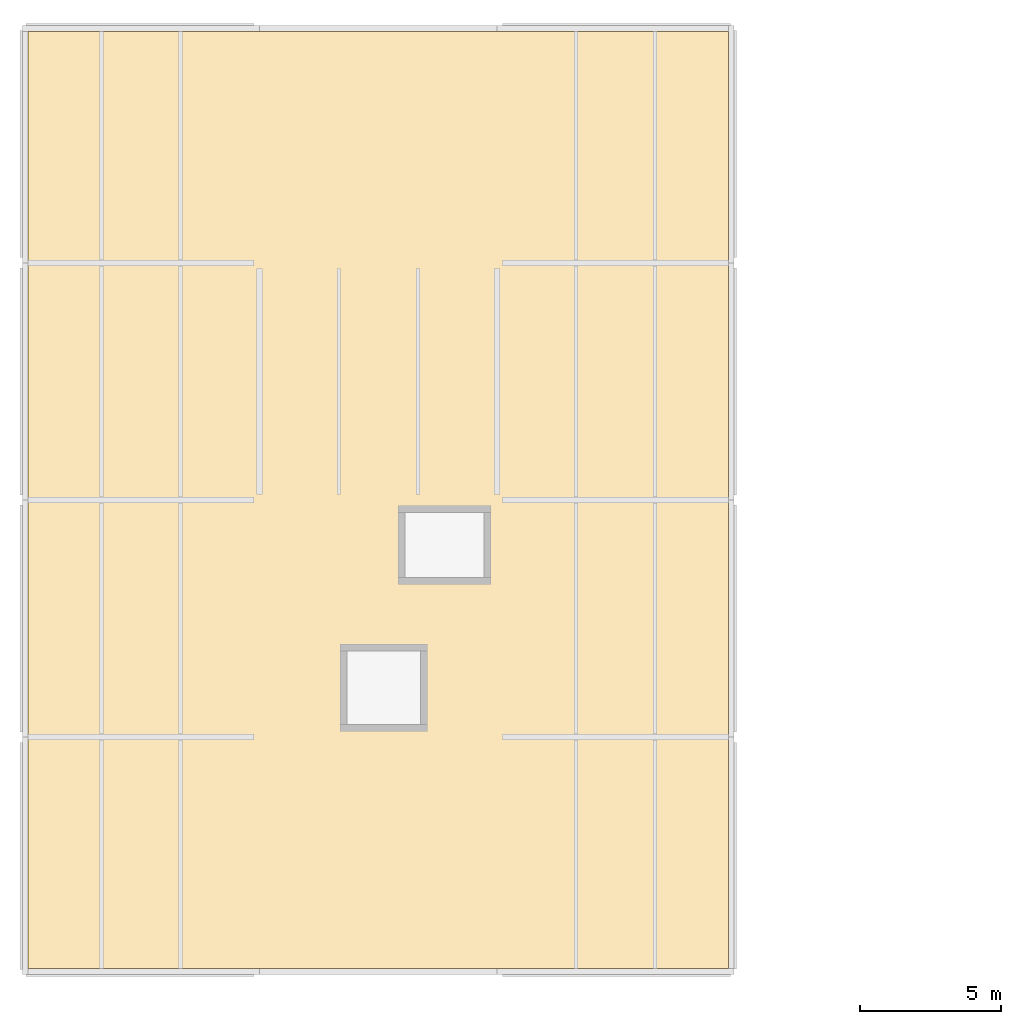
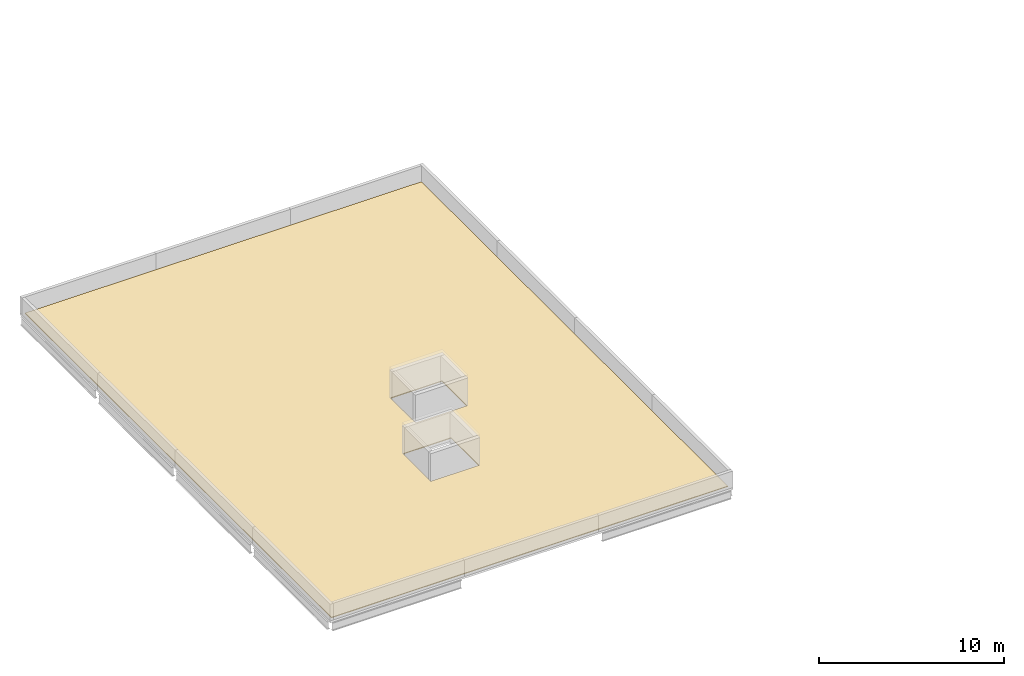
# One storey, part 12 of 14: 1 covering.
"""IFC4 building model written with IfcOpenShell, lengths in metres."""

from ifc_helpers import new_model, si_unit, direction, frame, origin, place, context, subcontext, project, spatial, polyline, outline, extrude, material, layer, layer_set, type_object, element, save


model = new_model("IFC4")

# Units and contexts
model_context = context("Model", 3, precision=1e-05, world=origin(), true_north=direction((0.0, 1.0)))
body_context = subcontext(model_context, "Body", "Model", "MODEL_VIEW")
ifc_project = project(units=[si_unit("LENGTHUNIT", "METRE"), si_unit("AREAUNIT", "SQUARE_METRE"), si_unit("VOLUMEUNIT", "CUBIC_METRE"), si_unit("PLANEANGLEUNIT", "RADIAN"), si_unit("MASSUNIT", "GRAM", prefix="KILO")], contexts=[model_context])

# Site, building, storey
site_placement = place(None, origin())
site = spatial("IfcSite", under=ifc_project, at=site_placement, CompositionType="ELEMENT")
building_placement = place(site_placement, origin())
building = spatial("IfcBuilding", under=site, at=building_placement, Name="Hlaing Beacon Police Headquarters", CompositionType="ELEMENT")
storey_placement = place(building_placement, frame((0.0, 0.0, 27.89990234375)))
storey = spatial("IfcBuildingStorey", under=building, at=storey_placement, Name="L06", CompositionType="ELEMENT", Elevation=27.89990234375)

# Covering
ifc_material = material(Name="Bituminous roofing membrane")
ifc_layer = layer(ifc_material, 0.050048828125)
ifc_layer_set = layer_set([ifc_layer], Name="Bituminous roofing membrane")
covering_type = type_object("IfcCoveringType", Name="Roofing membrane 50", PredefinedType="ROOFING", material=ifc_layer_set)
covering_placement = place(storey_placement, origin())
element("IfcCovering", 1, at=covering_placement, inside=storey, type_object=covering_type, Name="Roofing V6 1", PredefinedType="ROOFING", context=body_context, shape_type="SweptSolid", body=[
    extrude(outline(polyline([(33.39990234375, 67.0), (33.39990234375, 33.800048828125), (8.60009765625, 33.800048828125), (8.60009765625, 67.0), (33.39990234375, 67.0)]), holes=[polyline([(24.949951171875, 50.14990234375), (21.75, 50.14990234375), (21.75, 47.449951171875), (24.949951171875, 47.449951171875), (24.949951171875, 50.14990234375)]), polyline([(22.699951171875, 45.25), (19.699951171875, 45.25), (19.699951171875, 42.25), (22.699951171875, 42.25), (22.699951171875, 45.25)])]), origin(), (0.0, 0.0, 1.0), 0.050048828125),
])

save(model, "model.ifc")
